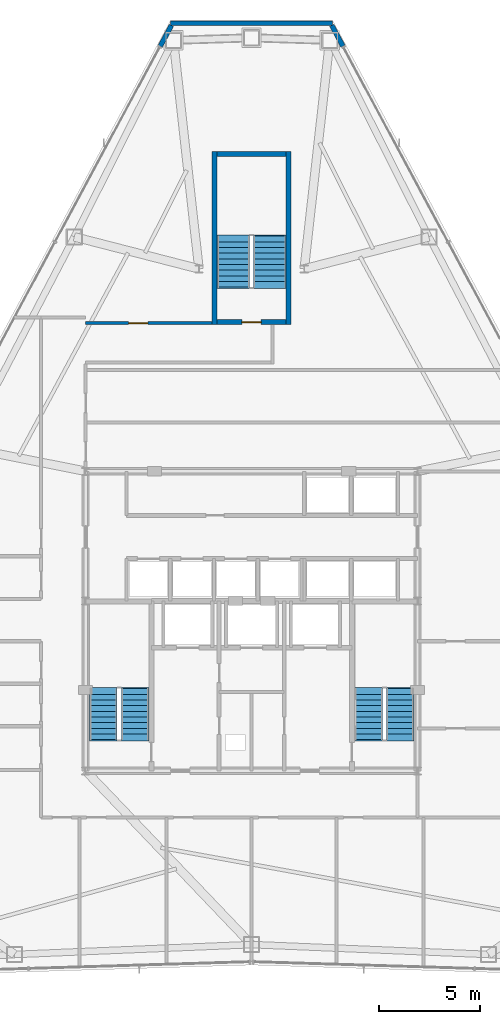
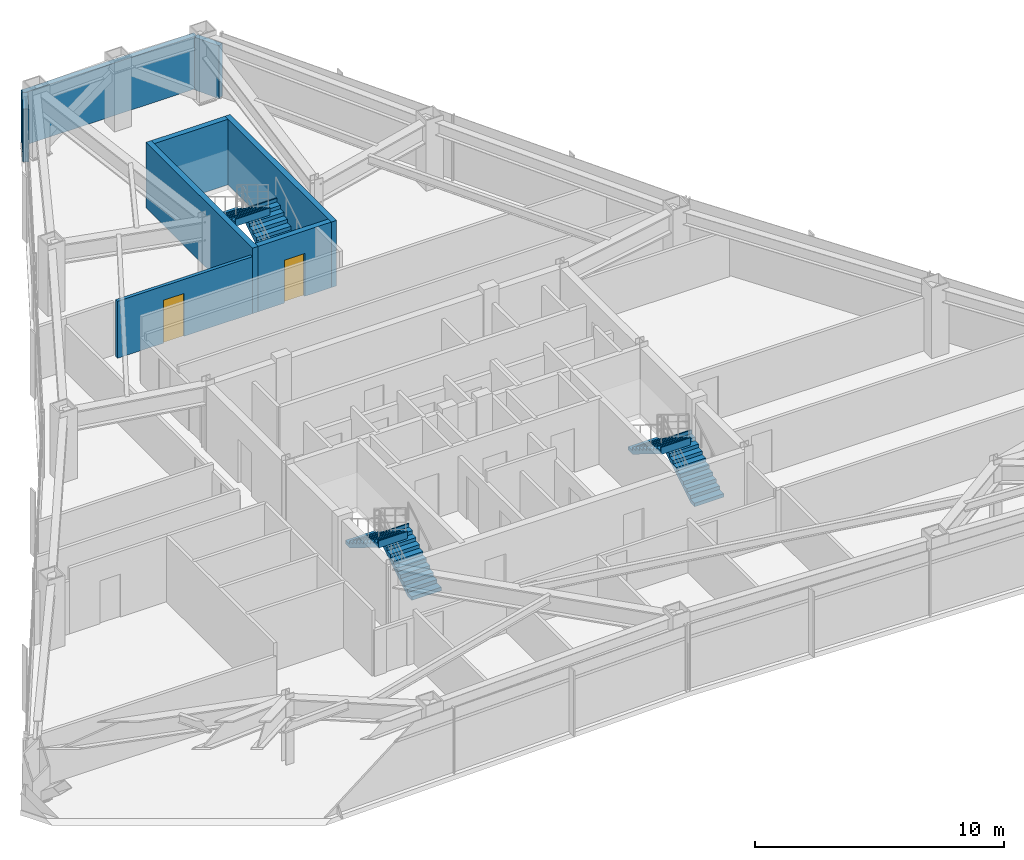
# One storey, part 12 of 13: 8 walls, 6 stair flights, 2 doors, 2 openings, 3 elements without a shape of their own.
"""IFC4 building model written with IfcOpenShell, lengths in metres."""

from ifc_helpers import new_model, si_unit, direction, frame, frame_2d, origin, place, context, subcontext, project, spatial, polyline, rectangle, outline, extrude, material, layer, layer_set, type_object, element, fill, aggregate, save


model = new_model("IFC4")

# Units and contexts
model_context = context("Model", 3, precision=1e-05, world=origin(), true_north=direction((0.0, 1.0)))
body_context = subcontext(model_context, "Body", "Model", "MODEL_VIEW")
ifc_project = project(units=[si_unit("LENGTHUNIT", "METRE"), si_unit("AREAUNIT", "SQUARE_METRE"), si_unit("VOLUMEUNIT", "CUBIC_METRE"), si_unit("PLANEANGLEUNIT", "RADIAN"), si_unit("MASSUNIT", "GRAM", prefix="KILO")], contexts=[model_context])

# Site, building, storey
site_placement = place(None, origin())
site = spatial("IfcSite", under=ifc_project, at=site_placement, CompositionType="ELEMENT")
building_placement = place(site_placement, origin())
building = spatial("IfcBuilding", under=site, at=building_placement, Name="Varakhsha Concourse Tower", CompositionType="ELEMENT")
storey_placement = place(building_placement, frame((0.0, 0.0, 162.0)))
storey = spatial("IfcBuildingStorey", under=building, at=storey_placement, Name="L46", CompositionType="ELEMENT", Elevation=162.0)

# Walls
ifc_material_1 = material(Name="Concrete fc 45 MPa", Category="concrete")
ifc_layer_1 = layer(ifc_material_1, 0.239990234375, Name="WL-EXT-CRN-240")
ifc_layer_set_1 = layer_set([ifc_layer_1], Name="Concrete fc 45 MPa")
wall_type_1 = type_object("IfcWallType", Name="WL-EXT-CRN-240", PredefinedType="SHEAR", material=ifc_layer_set_1)
wall_1_placement = place(storey_placement, frame((36.0, 53.33837890625, 0.0), z_axis=(0.0, 0.0, 1.0), x_axis=(1.0, 0.0, 0.0)))
element("IfcWall", 1, at=wall_1_placement, inside=storey, type_object=wall_type_1, Name="L46 Chamfer Wind-Corner Insulated Wall F1", PredefinedType="SHEAR", context=body_context, shape_type="SweptSolid", body=[
    extrude(rectangle(XDim=8.0, YDim=0.239990234375, at=frame_2d((4.0, 0.0))), origin(), (0.0, 0.0, 1.0), 2.5830078125),
])
for number, where, z_axis, x_axis, name in (
    (2, (36.036865234375, 53.22900390625, 0.0), (0.0, 0.0, 1.0), (-0.473364030493, -0.8808668995, 0.0), "L46 Wind-Corner Shoulder Wall F2"),
    (3, (44.515869140625, 52.200439453125, 0.0), (0.0, 0.0, 1.0), (-0.473364030493, 0.8808668995, 0.0), "L46 Wind-Corner Shoulder Wall F9"),
):
    element("IfcWall", number, at=place(storey_placement, frame(where, z_axis=z_axis, x_axis=x_axis)), inside=storey, type_object=wall_type_1, Name=name, PredefinedType="SHEAR", context=body_context, shape_type="SweptSolid", body=[
        extrude(rectangle(XDim=1.167724609375, YDim=0.239990234375, at=frame_2d((0.583984375, 0.0))), origin(), (0.0, 0.0, 1.0), 2.5830078125),
    ])

# Wall, opening, door
ifc_material_2 = material(Name="Fire-Rated Type X Gypsum Partition Assembly", Category="gypsum")
ifc_layer_2 = layer(ifc_material_2, 0.14990234375, Name="WL-PART-150")
ifc_layer_set_2 = layer_set([ifc_layer_2], Name="Fire-Rated Type X Gypsum Partition Assembly")
wall_type_2 = type_object("IfcWallType", Name="WL-PART-150", PredefinedType="PARTITIONING", material=ifc_layer_set_2)
wall_2_placement = place(storey_placement, frame((31.800048828125, 38.52490234375, 0.0), z_axis=(0.0, 0.0, 1.0), x_axis=(1.0, 0.0, 0.0)))
wall_2 = element("IfcWall", 4, at=wall_2_placement, inside=storey, type_object=wall_type_2, Name="L46 Wall STLK-N-L46", PredefinedType="PARTITIONING", context=body_context, shape_type="SweptSolid", body=[
    extrude(rectangle(XDim=6.25, YDim=0.14990234375, at=frame_2d((3.125, 0.0))), origin(), (0.0, 0.0, 1.0), 2.79296875),
])
opening_1_placement = place(wall_2_placement, frame((2.125, 0.0, 0.0)))
opening_1 = element("IfcOpeningElement", 5, at=opening_1_placement, cuts=wall_2, Name="Opening DF-05", PredefinedType="OPENING", context=body_context, shape_type="SweptSolid", body=[
    extrude(rectangle(XDim=0.949951171875, YDim=2.10009765625, at=frame_2d((0.47509765625, 1.050048828125))), frame((0.0, 0.0849609375, 0.0), z_axis=(0.0, -1.0, 0.0), x_axis=(1.0, 0.0, 0.0)), (0.0, 0.0, 1.0), 0.169921875),
])
ifc_material_3 = material(Name="Hollow Galvanised Steel Fire Door Assembly", Category="steel")
door_type_1 = type_object("IfcDoorType", Name="DR-FD60-950", OperationType="NOTDEFINED", PredefinedType="DOOR", material=ifc_material_3)
door_1_placement = place(opening_1_placement, origin())
door_1 = element("IfcDoor", 6, at=door_1_placement, inside=storey, type_object=door_type_1, Name="L46 Apex Hot-Desk Studio Neighborhood L46-NE3 Door", OperationType="SINGLE_SWING_RIGHT", OverallHeight=2.10009765625, OverallWidth=0.949951171875, PredefinedType="DOOR", context=body_context, shape_type="SweptSolid", body=[
    extrude(rectangle(XDim=0.949951171875, YDim=2.10009765625, at=frame_2d((0.47509765625, 1.050048828125))), frame((0.0, 0.02490234375, 0.0), z_axis=(0.0, -1.0, 0.0), x_axis=(1.0, 0.0, 0.0)), (0.0, 0.0, 1.0), 0.050048828125),
])
fill(opening_1, door_1)

# Walls
ifc_layer_3 = layer(ifc_material_1, 0.25, Name="WL-STAIR-250")
ifc_layer_set_3 = layer_set([ifc_layer_3], Name="Concrete fc 45 MPa")
wall_type_3 = type_object("IfcWallType", Name="WL-STAIR-250", PredefinedType="SHEAR", material=ifc_layer_set_3)
for number, where, z_axis, x_axis, name in (
    (7, (38.175048828125, 38.449951171875, 0.0), (0.0, 0.0, 1.0), (0.0, 1.0, 0.0), "L46 Wall SWALL-ST5-W-L46"),
    (8, (41.824951171875, 38.449951171875, 0.0), (0.0, 0.0, 1.0), (0.0, 1.0, 0.0), "L46 Wall SWALL-ST5-E-L46"),
):
    element("IfcWall", number, at=place(storey_placement, frame(where, z_axis=z_axis, x_axis=x_axis)), inside=storey, type_object=wall_type_3, Name=name, PredefinedType="SHEAR", context=body_context, shape_type="SweptSolid", body=[
        extrude(rectangle(XDim=8.550048828125, YDim=0.25, at=frame_2d((4.27490234375, 0.0))), origin(), (0.0, 0.0, 1.0), 3.2099609375),
    ])

# Wall, opening, door
wall_3_placement = place(storey_placement, frame((38.300048828125, 38.574951171875, 0.0), z_axis=(0.0, 0.0, 1.0), x_axis=(1.0, 0.0, 0.0)))
wall_3 = element("IfcWall", 9, at=wall_3_placement, inside=storey, type_object=wall_type_3, Name="L46 Wall SWALL-ST5-S-L46", PredefinedType="SHEAR", context=body_context, shape_type="SweptSolid", body=[
    extrude(rectangle(XDim=3.39990234375, YDim=0.25, at=frame_2d((1.699951171875, 0.0))), origin(), (0.0, 0.0, 1.0), 3.2099609375),
])
opening_2_placement = place(wall_3_placement, frame((1.22509765625, 0.0, 0.0)))
opening_2 = element("IfcOpeningElement", 10, at=opening_2_placement, cuts=wall_3, Name="Opening DF-03", PredefinedType="OPENING", context=body_context, shape_type="SweptSolid", body=[
    extrude(rectangle(XDim=0.949951171875, YDim=2.10009765625, at=frame_2d((0.47509765625, 1.050048828125))), frame((0.0, 0.135009765625, 0.0), z_axis=(0.0, -1.0, 0.0), x_axis=(1.0, 0.0, 0.0)), (0.0, 0.0, 1.0), 0.27001953125),
])
door_type_2 = type_object("IfcDoorType", Name="DR-FD90-950", OperationType="NOTDEFINED", PredefinedType="DOOR", material=ifc_material_3)
door_2_placement = place(opening_2_placement, origin())
door_2 = element("IfcDoor", 11, at=door_2_placement, inside=storey, type_object=door_type_2, Name="L46 Stair ST5 Fire Door", OperationType="SINGLE_SWING_RIGHT", OverallHeight=2.10009765625, OverallWidth=0.949951171875, PredefinedType="DOOR", context=body_context, shape_type="SweptSolid", body=[
    extrude(rectangle(XDim=0.949951171875, YDim=2.10009765625, at=frame_2d((0.47509765625, 1.050048828125))), frame((0.0, 0.02490234375, 0.0), z_axis=(0.0, -1.0, 0.0), x_axis=(1.0, 0.0, 0.0)), (0.0, 0.0, 1.0), 0.050048828125),
])
fill(opening_2, door_2)

# Wall
wall_4_placement = place(storey_placement, frame((38.300048828125, 46.875, 0.0), z_axis=(0.0, 0.0, 1.0), x_axis=(1.0, 0.0, 0.0)))
element("IfcWall", 12, at=wall_4_placement, inside=storey, type_object=wall_type_3, Name="L46 Wall SWALL-ST5-N-L46", PredefinedType="SHEAR", context=body_context, shape_type="SweptSolid", body=[
    extrude(rectangle(XDim=3.39990234375, YDim=0.25, at=frame_2d((1.699951171875, 0.0))), origin(), (0.0, 0.0, 1.0), 3.2099609375),
])

# Stair, stair flights
stair_type_1 = type_object("IfcStairType", Name="ST-DOGLEG-1360", PredefinedType="HALF_TURN_STAIR", material=ifc_material_1)
stair_1_placement = place(storey_placement, origin())
stair_1 = element("IfcStair", 13, at=stair_1_placement, inside=storey, type_object=stair_type_1, Name="L46 Protected Exit Stair ST1", PredefinedType="HALF_TURN_STAIR")
stair_flight_type_1 = type_object("IfcStairFlightType", Name="STF-1360-R1725", PredefinedType="STRAIGHT", material=ifc_material_1)
stair_flight_1_placement = place(storey_placement, frame((34.239990234375, 17.93994140625, 0.0), z_axis=(0.0, 0.0, 1.0), x_axis=(0.0, 1.0, 0.0)))
stair_flight_1 = element("IfcStairFlight", 14, at=stair_flight_1_placement, type_object=stair_flight_type_1, Name="ST1 flight 1", NumberOfRisers=10, NumberOfTreads=9, PredefinedType="STRAIGHT", RiserHeight=0.1725, TreadLength=0.28, context=body_context, shape_type="SweptSolid", body=[
    extrude(outline(polyline([(-0.06005859375, 0.0), (-0.06005859375, 0.172607421875), (0.0, 0.172607421875), (0.280029296875, 0.172607421875), (0.280029296875, 0.344970703125), (0.56005859375, 0.344970703125), (0.56005859375, 0.517578125), (0.840087890625, 0.517578125), (0.840087890625, 0.68994140625), (1.1201171875, 0.68994140625), (1.1201171875, 0.862548828125), (1.39990234375, 0.862548828125), (1.39990234375, 1.034912109375), (1.679931640625, 1.034912109375), (1.679931640625, 1.20751953125), (1.9599609375, 1.20751953125), (1.9599609375, 1.3798828125), (2.239990234375, 1.3798828125), (2.239990234375, 1.552490234375), (2.52001953125, 1.552490234375), (2.52001953125, 1.72509765625), (2.580078125, 1.72509765625), (2.580078125, 1.37646484375), (2.52001953125, 1.37646484375), (0.285888671875, 0.0), (-0.06005859375, 0.0)])), frame((0.0, 0.68017578125, 0.0), z_axis=(0.0, -1.0, 0.0), x_axis=(1.0, 0.0, 0.0)), (0.0, 0.0, 1.0), 1.360107421875),
])
stair_flight_2_placement = place(storey_placement, frame((32.679931640625, 20.4599609375, 1.72509765625), z_axis=(0.0, 0.0, 1.0), x_axis=(0.0, -1.0, 0.0)))
stair_flight_2 = element("IfcStairFlight", 15, at=stair_flight_2_placement, type_object=stair_flight_type_1, Name="ST1 flight 2", NumberOfRisers=10, NumberOfTreads=9, PredefinedType="STRAIGHT", RiserHeight=0.1725, TreadLength=0.28, context=body_context, shape_type="SweptSolid", body=[
    extrude(outline(polyline([(-0.06005859375, 0.0), (-0.06005859375, 0.172607421875), (0.0, 0.172607421875), (0.280029296875, 0.172607421875), (0.280029296875, 0.344970703125), (0.56005859375, 0.344970703125), (0.56005859375, 0.517578125), (0.840087890625, 0.517578125), (0.840087890625, 0.68994140625), (1.1201171875, 0.68994140625), (1.1201171875, 0.862548828125), (1.39990234375, 0.862548828125), (1.39990234375, 1.034912109375), (1.679931640625, 1.034912109375), (1.679931640625, 1.20751953125), (1.9599609375, 1.20751953125), (1.9599609375, 1.3798828125), (2.239990234375, 1.3798828125), (2.239990234375, 1.552490234375), (2.52001953125, 1.552490234375), (2.52001953125, 1.72509765625), (2.580078125, 1.72509765625), (2.580078125, 1.37646484375), (2.52001953125, 1.37646484375), (0.285888671875, 0.0), (-0.06005859375, 0.0)])), frame((0.0, 0.68017578125, 0.0), z_axis=(0.0, -1.0, 0.0), x_axis=(1.0, 0.0, 0.0)), (0.0, 0.0, 1.0), 1.360107421875),
])
aggregate(stair_1, [stair_flight_1, stair_flight_2])

stair_2_placement = place(storey_placement, origin())
stair_2 = element("IfcStair", 16, at=stair_2_placement, inside=storey, type_object=stair_type_1, Name="L46 Protected Exit Stair ST2", PredefinedType="HALF_TURN_STAIR")
stair_flight_3_placement = place(storey_placement, frame((47.340087890625, 17.93994140625, 0.0), z_axis=(0.0, 0.0, 1.0), x_axis=(0.0, 1.0, 0.0)))
stair_flight_3 = element("IfcStairFlight", 17, at=stair_flight_3_placement, type_object=stair_flight_type_1, Name="ST2 flight 1", NumberOfRisers=10, NumberOfTreads=9, PredefinedType="STRAIGHT", RiserHeight=0.1725, TreadLength=0.28, context=body_context, shape_type="SweptSolid", body=[
    extrude(outline(polyline([(-0.06005859375, 0.0), (-0.06005859375, 0.172607421875), (0.0, 0.172607421875), (0.280029296875, 0.172607421875), (0.280029296875, 0.344970703125), (0.56005859375, 0.344970703125), (0.56005859375, 0.517578125), (0.840087890625, 0.517578125), (0.840087890625, 0.68994140625), (1.1201171875, 0.68994140625), (1.1201171875, 0.862548828125), (1.39990234375, 0.862548828125), (1.39990234375, 1.034912109375), (1.679931640625, 1.034912109375), (1.679931640625, 1.20751953125), (1.9599609375, 1.20751953125), (1.9599609375, 1.3798828125), (2.239990234375, 1.3798828125), (2.239990234375, 1.552490234375), (2.52001953125, 1.552490234375), (2.52001953125, 1.72509765625), (2.580078125, 1.72509765625), (2.580078125, 1.37646484375), (2.52001953125, 1.37646484375), (0.285888671875, 0.0), (-0.06005859375, 0.0)])), frame((0.0, 0.68017578125, 0.0), z_axis=(0.0, -1.0, 0.0), x_axis=(1.0, 0.0, 0.0)), (0.0, 0.0, 1.0), 1.360107421875),
])
stair_flight_4_placement = place(storey_placement, frame((45.780029296875, 20.4599609375, 1.72509765625), z_axis=(0.0, 0.0, 1.0), x_axis=(0.0, -1.0, 0.0)))
stair_flight_4 = element("IfcStairFlight", 18, at=stair_flight_4_placement, type_object=stair_flight_type_1, Name="ST2 flight 2", NumberOfRisers=10, NumberOfTreads=9, PredefinedType="STRAIGHT", RiserHeight=0.1725, TreadLength=0.28, context=body_context, shape_type="SweptSolid", body=[
    extrude(outline(polyline([(-0.06005859375, 0.0), (-0.06005859375, 0.172607421875), (0.0, 0.172607421875), (0.280029296875, 0.172607421875), (0.280029296875, 0.344970703125), (0.56005859375, 0.344970703125), (0.56005859375, 0.517578125), (0.840087890625, 0.517578125), (0.840087890625, 0.68994140625), (1.1201171875, 0.68994140625), (1.1201171875, 0.862548828125), (1.39990234375, 0.862548828125), (1.39990234375, 1.034912109375), (1.679931640625, 1.034912109375), (1.679931640625, 1.20751953125), (1.9599609375, 1.20751953125), (1.9599609375, 1.3798828125), (2.239990234375, 1.3798828125), (2.239990234375, 1.552490234375), (2.52001953125, 1.552490234375), (2.52001953125, 1.72509765625), (2.580078125, 1.72509765625), (2.580078125, 1.37646484375), (2.52001953125, 1.37646484375), (0.285888671875, 0.0), (-0.06005859375, 0.0)])), frame((0.0, 0.68017578125, 0.0), z_axis=(0.0, -1.0, 0.0), x_axis=(1.0, 0.0, 0.0)), (0.0, 0.0, 1.0), 1.360107421875),
])
aggregate(stair_2, [stair_flight_3, stair_flight_4])

stair_type_2 = type_object("IfcStairType", Name="ST-DOGLEG-1600", PredefinedType="HALF_TURN_STAIR", material=ifc_material_1)
stair_3_placement = place(storey_placement, origin())
stair_3 = element("IfcStair", 19, at=stair_3_placement, inside=storey, type_object=stair_type_2, Name="L46 Protected Exit Stair ST5", PredefinedType="HALF_TURN_STAIR")
stair_flight_type_2 = type_object("IfcStairFlightType", Name="STF-1600-R1725", PredefinedType="STRAIGHT", material=ifc_material_1)
stair_flight_5_placement = place(storey_placement, frame((40.89990234375, 40.300048828125, 0.0), z_axis=(0.0, 0.0, 1.0), x_axis=(0.0, 1.0, 0.0)))
stair_flight_5 = element("IfcStairFlight", 20, at=stair_flight_5_placement, type_object=stair_flight_type_2, Name="ST5 flight 1", NumberOfRisers=10, NumberOfTreads=9, PredefinedType="STRAIGHT", RiserHeight=0.1725, TreadLength=0.28, context=body_context, shape_type="SweptSolid", body=[
    extrude(outline(polyline([(-0.06005859375, 0.0), (-0.06005859375, 0.172607421875), (0.0, 0.172607421875), (0.280029296875, 0.172607421875), (0.280029296875, 0.344970703125), (0.56005859375, 0.344970703125), (0.56005859375, 0.517578125), (0.840087890625, 0.517578125), (0.840087890625, 0.68994140625), (1.1201171875, 0.68994140625), (1.1201171875, 0.862548828125), (1.39990234375, 0.862548828125), (1.39990234375, 1.034912109375), (1.679931640625, 1.034912109375), (1.679931640625, 1.20751953125), (1.9599609375, 1.20751953125), (1.9599609375, 1.3798828125), (2.239990234375, 1.3798828125), (2.239990234375, 1.552490234375), (2.52001953125, 1.552490234375), (2.52001953125, 1.72509765625), (2.580078125, 1.72509765625), (2.580078125, 1.37646484375), (2.52001953125, 1.37646484375), (0.285888671875, 0.0), (-0.06005859375, 0.0)])), frame((0.0, 0.800048828125, 0.0), z_axis=(0.0, -1.0, 0.0), x_axis=(1.0, 0.0, 0.0)), (0.0, 0.0, 1.0), 1.60009765625),
])
stair_flight_6_placement = place(storey_placement, frame((39.10009765625, 42.820068359375, 1.72509765625), z_axis=(0.0, 0.0, 1.0), x_axis=(0.0, -1.0, 0.0)))
stair_flight_6 = element("IfcStairFlight", 21, at=stair_flight_6_placement, type_object=stair_flight_type_2, Name="ST5 flight 2", NumberOfRisers=10, NumberOfTreads=9, PredefinedType="STRAIGHT", RiserHeight=0.1725, TreadLength=0.28, context=body_context, shape_type="SweptSolid", body=[
    extrude(outline(polyline([(-0.06005859375, 0.0), (-0.06005859375, 0.172607421875), (0.0, 0.172607421875), (0.280029296875, 0.172607421875), (0.280029296875, 0.344970703125), (0.56005859375, 0.344970703125), (0.56005859375, 0.517578125), (0.840087890625, 0.517578125), (0.840087890625, 0.68994140625), (1.1201171875, 0.68994140625), (1.1201171875, 0.862548828125), (1.39990234375, 0.862548828125), (1.39990234375, 1.034912109375), (1.679931640625, 1.034912109375), (1.679931640625, 1.20751953125), (1.9599609375, 1.20751953125), (1.9599609375, 1.3798828125), (2.239990234375, 1.3798828125), (2.239990234375, 1.552490234375), (2.52001953125, 1.552490234375), (2.52001953125, 1.72509765625), (2.580078125, 1.72509765625), (2.580078125, 1.37646484375), (2.52001953125, 1.37646484375), (0.285888671875, 0.0), (-0.06005859375, 0.0)])), frame((0.0, 0.800048828125, 0.0), z_axis=(0.0, -1.0, 0.0), x_axis=(1.0, 0.0, 0.0)), (0.0, 0.0, 1.0), 1.60009765625),
])
aggregate(stair_3, [stair_flight_5, stair_flight_6])

save(model, "model.ifc")
